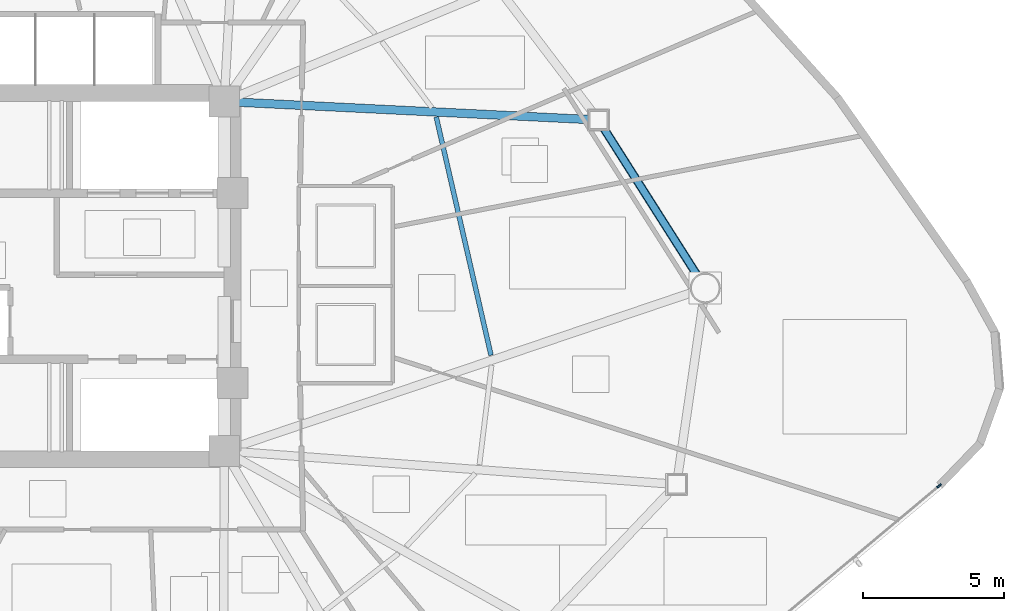
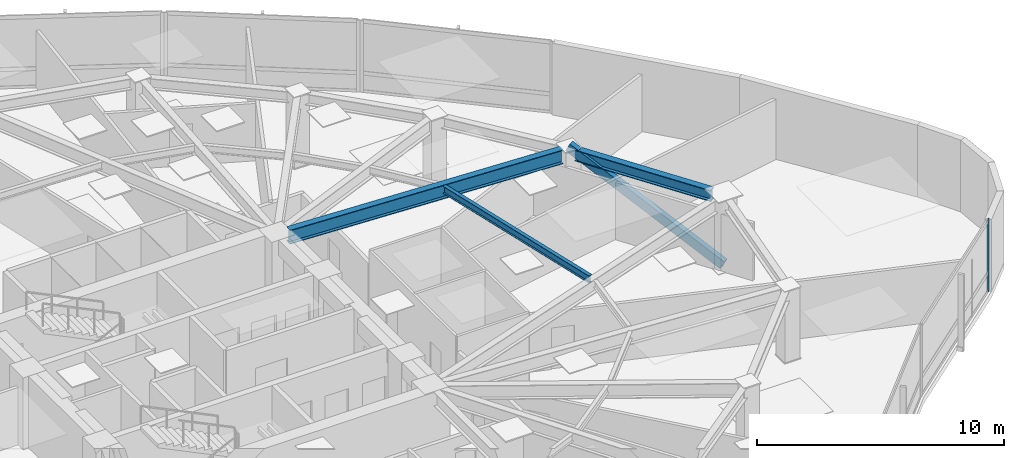
# One storey, part 6 of 17: 3 beams, 2 members, 1 element without a shape of its own.
"""IFC4 building model written with IfcOpenShell, lengths in metres."""

from ifc_helpers import new_model, si_unit, direction, frame, origin, origin_2d, place, context, subcontext, project, spatial, hollow_rectangle, i_section, extrude, source, transform, mapped, material, layer, layer_set, material_profile, profile_set, type_object, type_shapes, element, aggregate, save


model = new_model("IFC4")

# Units and contexts
model_context = context("Model", 3, precision=1e-05, world=origin(), true_north=direction((0.0, 1.0)))
body_context = subcontext(model_context, "Body", "Model", "MODEL_VIEW")
ifc_project = project(units=[si_unit("LENGTHUNIT", "METRE"), si_unit("AREAUNIT", "SQUARE_METRE"), si_unit("VOLUMEUNIT", "CUBIC_METRE"), si_unit("PLANEANGLEUNIT", "RADIAN"), si_unit("MASSUNIT", "GRAM", prefix="KILO")], contexts=[model_context])

# Site, building, storey
site_placement = place(None, origin())
site = spatial("IfcSite", under=ifc_project, at=site_placement, CompositionType="ELEMENT")
building_placement = place(site_placement, origin())
building = spatial("IfcBuilding", under=site, at=building_placement, Name="Tavelor Broadcast Tower", CompositionType="ELEMENT")
storey_placement = place(building_placement, frame((0.0, 0.0, 127.14990234375)))
storey = spatial("IfcBuildingStorey", under=building, at=storey_placement, Name="L29", CompositionType="ELEMENT", Elevation=127.14990234375)

# Beams
ifc_material_1 = material(Name="Steel S355", Category="steel")
ifc_material_profile_1 = material_profile(ifc_material_1, i_section(OverallWidth=0.169921875, OverallDepth=0.360107421875, WebThickness=0.008056640625, FlangeThickness=0.0126953125, at=origin_2d()), Name="IPE 360")
ifc_profile_set_1 = profile_set([ifc_material_profile_1], Name="Steel S355")
beam_type_1 = type_object("IfcBeamType", Name="Composite Floor Joist T3 IPE 360", PredefinedType="JOIST", material=ifc_profile_set_1)
beam_1_placement = place(storey_placement, frame((66.0703125, 42.1953125, 3.3701171875), z_axis=(-0.224119909946, 0.974561576282, 0.0), x_axis=(-0.974561576282, -0.224119909946, 0.0)))
element("IfcBeam", 1, at=beam_1_placement, inside=storey, type_object=beam_type_1, Name="L29 Secondary Composite Floor Joist 13", PredefinedType="JOIST", context=body_context, shape_type="SweptSolid", body=[
    extrude(i_section(OverallWidth=0.169921875, OverallDepth=0.360107421875, WebThickness=0.008056640625, FlangeThickness=0.0126953125, at=origin_2d()), origin(), (0.0, 0.0, 1.0), 8.6796875),
])
ifc_material_profile_2 = material_profile(ifc_material_1, i_section(OverallWidth=0.300048828125, OverallDepth=0.550048828125, WebThickness=0.014892578125, FlangeThickness=0.029052734375, at=origin_2d()), Name="HEB 550")
ifc_profile_set_2 = profile_set([ifc_material_profile_2], Name="Steel S355")
beam_type_2 = type_object("IfcBeamType", Name="Perimeter Spandrel Beam T3 HEB 550", PredefinedType="SPANDREL", material=ifc_profile_set_2)
beam_2_placement = place(storey_placement, frame((73.4013671875, 45.01171875, 3.275146484375), z_axis=(-0.536283466807, 0.844037939449, 0.0), x_axis=(-0.844037939449, -0.536283466807, 0.0)))
element("IfcBeam", 2, at=beam_2_placement, inside=storey, type_object=beam_type_2, Name="L29 Framed-Tube Ring Spandrel 13", PredefinedType="SPANDREL", context=body_context, shape_type="SweptSolid", body=[
    extrude(i_section(OverallWidth=0.300048828125, OverallDepth=0.550048828125, WebThickness=0.014892578125, FlangeThickness=0.029052734375, at=origin_2d()), origin(), (0.0, 0.0, 1.0), 6.21875),
])

# Member
ifc_material_profile_3 = material_profile(ifc_material_1, hollow_rectangle(XDim=0.25, YDim=0.449951171875, WallThickness=0.02001953125, at=origin_2d()), Name="RHS 450x250x20")
ifc_profile_set_3 = profile_set([ifc_material_profile_3], Name="Steel S355")
member_type_1 = type_object("IfcMemberType", Name="Perimeter Tube Brace T3 RHS 450x250x20", PredefinedType="BRACE", material=ifc_profile_set_3)
member_1_placement = place(storey_placement, frame((73.676025390625, 44.57958984375, 0.0), z_axis=(-0.479238755177, 0.754205232397, 0.448892729904), x_axis=(-0.844021198089, -0.536309814544, 0.0)))
element("IfcMember", 3, at=member_1_placement, inside=storey, type_object=member_type_1, Name="L29 Corner Tube Diagonal Brace 3", PredefinedType="BRACE", context=body_context, shape_type="SweptSolid", body=[
    extrude(hollow_rectangle(XDim=0.25, YDim=0.449951171875, WallThickness=0.02001953125, at=origin_2d()), origin(), (0.0, 0.0, 1.0), 7.908447265625),
])

# Beam
ifc_material_profile_4 = material_profile(ifc_material_1, i_section(OverallWidth=0.300048828125, OverallDepth=0.68994140625, WebThickness=0.014404296875, FlangeThickness=0.027099609375, at=origin_2d()), Name="HEA 700")
ifc_profile_set_4 = profile_set([ifc_material_profile_4], Name="Steel S355")
beam_type_3 = type_object("IfcBeamType", Name="Radial Floor Girder T3 HEA 700", PredefinedType="BEAM", material=ifc_profile_set_4)
beam_3_placement = place(storey_placement, frame((57.12744140625, 51.174072265625, 3.205078125), z_axis=(0.998783710906, -0.04930617435, 0.0), x_axis=(0.04930617435, 0.998783710906, 0.0)))
element("IfcBeam", 4, at=beam_3_placement, inside=storey, type_object=beam_type_3, Name="L29 Radial Primary Floor Girder 14", PredefinedType="BEAM", context=body_context, shape_type="SweptSolid", body=[
    extrude(i_section(OverallWidth=0.300048828125, OverallDepth=0.68994140625, WebThickness=0.014404296875, FlangeThickness=0.027099609375, at=origin_2d()), origin(), (0.0, 0.0, 1.0), 12.438232421875),
])

# Curtain wall, member
ifc_material_2 = material(Name="Architectural Anodized Aluminium", Category="aluminium")
ifc_layer = layer(ifc_material_2, 0.18994140625)
ifc_layer_set = layer_set([ifc_layer], Name="Architectural Anodized Aluminium")
curtain_wall_type = type_object("IfcCurtainWallType", Name="Tower Mid-Zone Acoustic Curtain Wall CW03", PredefinedType="NOTDEFINED", material=ifc_layer_set)
curtain_wall_placement = place(storey_placement, origin())
curtain_wall = element("IfcCurtainWall", 5, at=curtain_wall_placement, inside=storey, type_object=curtain_wall_type, Name="L29 Curtain Wall CW03 Run 296", PredefinedType="NOTDEFINED")
ifc_material_profile_5 = material_profile(ifc_material_2, hollow_rectangle(XDim=0.068115234375, YDim=0.18994140625, WallThickness=0.02197265625, at=origin_2d()), Name="RHS 68x190x22")
ifc_profile_set_5 = profile_set([ifc_material_profile_5], Name="Architectural Anodized Aluminium")
member_type_2 = type_object("IfcMemberType", Name="CW03 Extruded Aluminium Mullion 68x190", PredefinedType="MULLION", material=ifc_profile_set_5)
shared_shape = source(origin(), body_context, "Body", "SweptSolid", [
    extrude(hollow_rectangle(XDim=0.068115234375, YDim=0.18994140625, WallThickness=0.02197265625, at=origin_2d()), origin(), (0.0, 0.0, 1.0), 3.550048828125),
])
type_shapes(member_type_2, [shared_shape])
member_2_placement = place(storey_placement, frame((81.976806640625, 37.557373046875, 0.0), z_axis=(0.0, 0.0, 1.0), x_axis=(-0.641143703976, 0.767420843378, 0.0)))
member_2 = element("IfcMember", 6, at=member_2_placement, type_object=member_type_2, Name="CW03 mullion 2", PredefinedType="MULLION", context=body_context, shape_type="MappedRepresentation", body=[
    mapped(shared_shape, transform((0.0, 0.0, 0.0), scale=1.0)),
])
aggregate(curtain_wall, [member_2])

save(model, "model.ifc")
